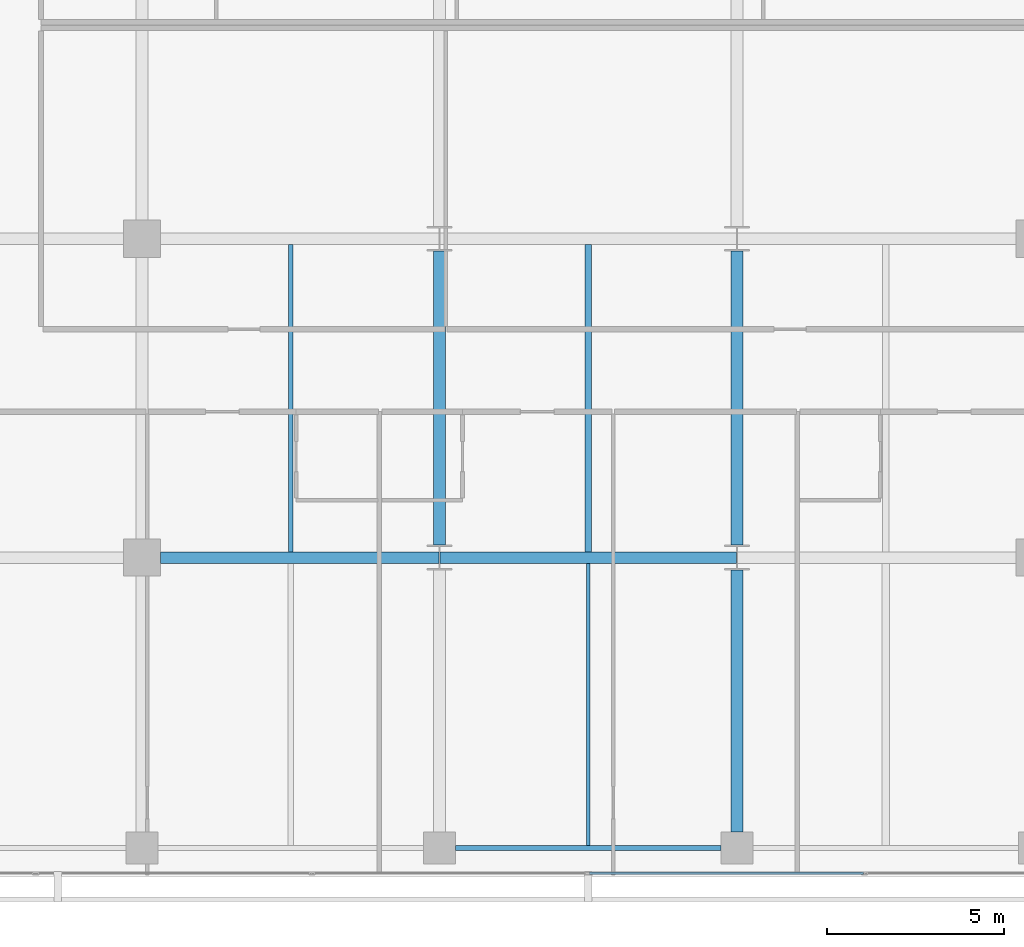
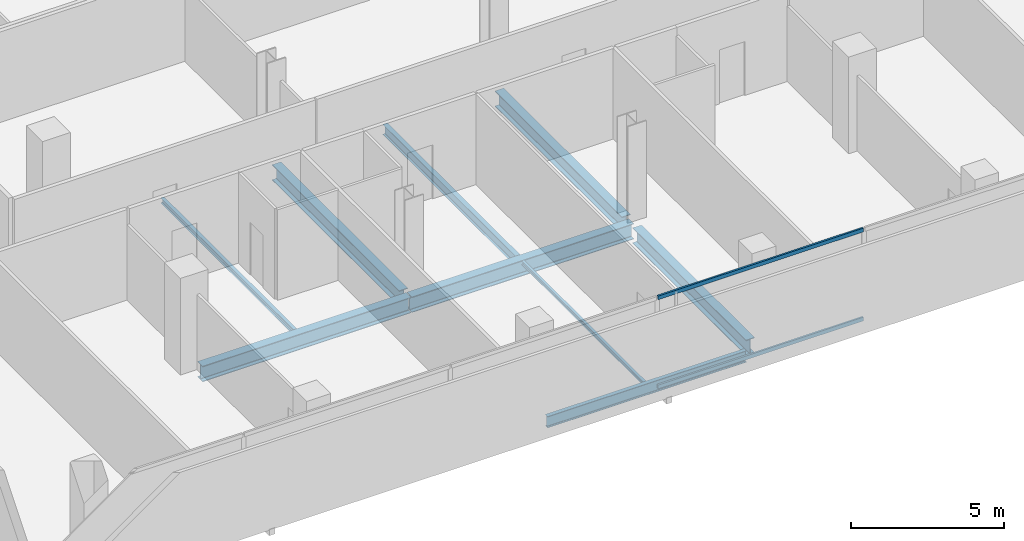
# One storey, part 9 of 40: 9 beams, 2 members, 1 element without a shape of its own.
"""IFC4 building model written with IfcOpenShell, lengths in metres."""

from ifc_helpers import new_model, si_unit, direction, frame, origin, origin_2d, place, context, subcontext, project, spatial, hollow_rectangle, i_section, extrude, material, layer, layer_set, material_profile, profile_set, type_object, element, aggregate, save


model = new_model("IFC4")

# Units and contexts
model_context = context("Model", 3, precision=1e-05, world=origin(), true_north=direction((0.0, 1.0)))
body_context = subcontext(model_context, "Body", "Model", "MODEL_VIEW")
ifc_project = project(units=[si_unit("LENGTHUNIT", "METRE"), si_unit("AREAUNIT", "SQUARE_METRE"), si_unit("VOLUMEUNIT", "CUBIC_METRE"), si_unit("PLANEANGLEUNIT", "RADIAN"), si_unit("MASSUNIT", "GRAM", prefix="KILO")], contexts=[model_context])

# Site, building, storey
site_placement = place(None, origin())
site = spatial("IfcSite", under=ifc_project, at=site_placement, CompositionType="ELEMENT")
building_placement = place(site_placement, origin())
building = spatial("IfcBuilding", under=site, at=building_placement, Name="Maruvema Waterfront Hotel and Observation Tower", CompositionType="ELEMENT")
storey_placement = place(building_placement, frame((0.0, 0.0, 73.14990234375)))
storey = spatial("IfcBuildingStorey", under=building, at=storey_placement, Name="L17", CompositionType="ELEMENT", Elevation=73.14990234375)

# Curtain wall, members
ifc_material_1 = material(Name="Anodised bronze aluminium and solar-control low-E IGU", Category="aluminium")
ifc_layer = layer(ifc_material_1, 0.159912109375, Name="Zone 1 Bronze Inner Thermal Curtain Wall System CW-02")
ifc_layer_set = layer_set([ifc_layer], Name="Anodised bronze aluminium and solar-control low-E IGU")
curtain_wall_type = type_object("IfcCurtainWallType", Name="Zone 1 Bronze Inner Thermal Curtain Wall System CW-02", PredefinedType="USERDEFINED", material=ifc_layer_set)
curtain_wall_placement = place(storey_placement, origin())
curtain_wall = element("IfcCurtainWall", 1, at=curtain_wall_placement, inside=storey, type_object=curtain_wall_type, Name="L17 Curtain Wall CW-L17-S", ObjectType="UNITISED CURTAIN WALL", PredefinedType="USERDEFINED")
ifc_material_2 = material(Name="Anodised architectural bronze aluminium", Category="aluminium")
ifc_material_profile_1 = material_profile(ifc_material_2, hollow_rectangle(XDim=0.070068359375, YDim=0.14990234375, WallThickness=0.00390625, at=origin_2d()), Name="ALU-T70x150")
ifc_profile_set_1 = profile_set([ifc_material_profile_1], Name="Anodised architectural bronze aluminium")
member_type = type_object("IfcMemberType", Name="Curtain Wall Horizontal Transom ALU-T70x150", PredefinedType="USERDEFINED", material=ifc_profile_set_1)
member_1_placement = place(storey_placement, frame((37.830078125, 0.080078125, 0.030029296875), z_axis=(1.0, 0.0, 0.0), x_axis=(0.0, 1.0, 0.0)))
member_1 = element("IfcMember", 2, at=member_1_placement, type_object=member_type, Name="CW-02 transom 4.1", ObjectType="TRANSOM", PredefinedType="USERDEFINED", context=body_context, shape_type="SweptSolid", body=[
    extrude(hollow_rectangle(XDim=0.070068359375, YDim=0.14990234375, WallThickness=0.00390625, at=origin_2d()), origin(), (0.0, 0.0, 1.0), 7.739990234375),
])
member_2_placement = place(storey_placement, frame((37.830078125, 0.080078125, 3.580078125), z_axis=(1.0, 0.0, 0.0), x_axis=(0.0, 1.0, 0.0)))
member_2 = element("IfcMember", 3, at=member_2_placement, type_object=member_type, Name="CW-02 transom 4.2", ObjectType="TRANSOM", PredefinedType="USERDEFINED", context=body_context, shape_type="SweptSolid", body=[
    extrude(hollow_rectangle(XDim=0.070068359375, YDim=0.14990234375, WallThickness=0.00390625, at=origin_2d()), origin(), (0.0, 0.0, 1.0), 7.739990234375),
])
aggregate(curtain_wall, [member_1, member_2])

# Beams
ifc_material_3 = material(Name="Steel ASTM A572 Grade 50", Category="steel")
ifc_material_profile_2 = material_profile(ifc_material_3, i_section(OverallWidth=0.153076171875, OverallDepth=0.455078125, WebThickness=0.008056640625, FlangeThickness=0.01318359375, FilletRadius=0.014892578125, at=origin_2d()), Name="W460x60.0")
ifc_profile_set_2 = profile_set([ifc_material_profile_2], Name="Steel ASTM A572 Grade 50")
beam_type_1 = type_object("IfcBeamType", Name="Perimeter Spandrel Beam W460x60.0", PredefinedType="SPANDREL", material=ifc_profile_set_2)
beam_1_placement = place(storey_placement, frame((34.050048828125, 0.800048828125, -0.46728515625), z_axis=(1.0, 0.0, 0.0), x_axis=(0.0, 1.0, 0.0)))
element("IfcBeam", 4, at=beam_1_placement, inside=storey, type_object=beam_type_1, Name="L17 Floor Girder EW-03", PredefinedType="SPANDREL", context=body_context, shape_type="SweptSolid", body=[
    extrude(i_section(OverallWidth=0.153076171875, OverallDepth=0.455078125, WebThickness=0.008056640625, FlangeThickness=0.01318359375, FilletRadius=0.014892578125, at=origin_2d()), origin(), (0.0, 0.0, 1.0), 7.5),
])
ifc_material_4 = material(Name="Steel ASTM A572 Grade 50", Category="steel")
ifc_material_profile_3 = material_profile(ifc_material_4, i_section(OverallWidth=0.326904296875, OverallDepth=0.6220703125, WebThickness=0.015380859375, FlangeThickness=0.0244140625, FilletRadius=0.01806640625, at=origin_2d()), Name="W610x195.0")
ifc_profile_set_3 = profile_set([ifc_material_profile_3], Name="Steel ASTM A572 Grade 50")
beam_type_2 = type_object("IfcBeamType", Name="Primary Floor Girder W610x195.0", PredefinedType="BEAM", material=ifc_profile_set_3)
beam_2_placement = place(storey_placement, frame((25.72509765625, 9.0, -0.55078125), z_axis=(1.0, 0.0, 0.0), x_axis=(0.0, 1.0, 0.0)))
element("IfcBeam", 5, at=beam_2_placement, inside=storey, type_object=beam_type_2, Name="L17 Floor Girder EW-08", PredefinedType="BEAM", context=body_context, shape_type="SweptSolid", body=[
    extrude(i_section(OverallWidth=0.326904296875, OverallDepth=0.6220703125, WebThickness=0.015380859375, FlangeThickness=0.0244140625, FilletRadius=0.01806640625, at=origin_2d()), origin(), (0.0, 0.0, 1.0), 7.86083984375),
])
beam_3_placement = place(storey_placement, frame((33.614013671875, 9.0, -0.55078125), z_axis=(1.0, 0.0, 0.0), x_axis=(0.0, 1.0, 0.0)))
element("IfcBeam", 6, at=beam_3_placement, inside=storey, type_object=beam_type_2, Name="L17 Floor Girder EW-09", PredefinedType="BEAM", context=body_context, shape_type="SweptSolid", body=[
    extrude(i_section(OverallWidth=0.326904296875, OverallDepth=0.6220703125, WebThickness=0.015380859375, FlangeThickness=0.0244140625, FilletRadius=0.01806640625, at=origin_2d()), origin(), (0.0, 0.0, 1.0), 8.3720703125),
])
beam_4_placement = place(storey_placement, frame((33.60009765625, 9.35009765625, -0.55078125), z_axis=(0.0, 1.0, 0.0), x_axis=(-1.0, 0.0, 0.0)))
element("IfcBeam", 7, at=beam_4_placement, inside=storey, type_object=beam_type_2, Name="L17 Floor Girder NS-17", PredefinedType="BEAM", context=body_context, shape_type="SweptSolid", body=[
    extrude(i_section(OverallWidth=0.326904296875, OverallDepth=0.6220703125, WebThickness=0.015380859375, FlangeThickness=0.0244140625, FilletRadius=0.01806640625, at=origin_2d()), origin(), (0.0, 0.0, 1.0), 8.2998046875),
])
beam_5_placement = place(storey_placement, frame((42.0, 1.25, -0.55078125), z_axis=(0.0, 1.0, 0.0), x_axis=(-1.0, 0.0, 0.0)))
element("IfcBeam", 8, at=beam_5_placement, inside=storey, type_object=beam_type_2, Name="L17 Floor Girder NS-19", PredefinedType="BEAM", context=body_context, shape_type="SweptSolid", body=[
    extrude(i_section(OverallWidth=0.326904296875, OverallDepth=0.6220703125, WebThickness=0.015380859375, FlangeThickness=0.0244140625, FilletRadius=0.01806640625, at=origin_2d()), origin(), (0.0, 0.0, 1.0), 7.39990234375),
])
beam_6_placement = place(storey_placement, frame((42.0, 9.35009765625, -0.55078125), z_axis=(0.0, 1.0, 0.0), x_axis=(-1.0, 0.0, 0.0)))
element("IfcBeam", 9, at=beam_6_placement, inside=storey, type_object=beam_type_2, Name="L17 Floor Girder NS-20", PredefinedType="BEAM", context=body_context, shape_type="SweptSolid", body=[
    extrude(i_section(OverallWidth=0.326904296875, OverallDepth=0.6220703125, WebThickness=0.015380859375, FlangeThickness=0.0244140625, FilletRadius=0.01806640625, at=origin_2d()), origin(), (0.0, 0.0, 1.0), 8.2998046875),
])
ifc_material_5 = material(Name="Steel ASTM A572 Grade 50", Category="steel")
ifc_material_profile_4 = material_profile(ifc_material_5, i_section(OverallWidth=0.10009765625, OverallDepth=0.153076171875, WebThickness=0.005859375, FlangeThickness=0.007080078125, FilletRadius=0.008056640625, at=origin_2d()), Name="W150x18.0")
ifc_profile_set_4 = profile_set([ifc_material_profile_4], Name="Steel ASTM A572 Grade 50")
beam_type_3 = type_object("IfcBeamType", Name="Secondary Floor Joist W150x18.0", PredefinedType="JOIST", material=ifc_profile_set_4)
beam_7_placement = place(storey_placement, frame((37.800048828125, 0.87646484375, -0.31640625), z_axis=(0.0, 1.0, 0.0), x_axis=(-1.0, 0.0, 0.0)))
element("IfcBeam", 10, at=beam_7_placement, inside=storey, type_object=beam_type_3, Name="L17 Secondary Floor Joist JS-12", PredefinedType="JOIST", context=body_context, shape_type="SweptSolid", body=[
    extrude(i_section(OverallWidth=0.10009765625, OverallDepth=0.153076171875, WebThickness=0.005859375, FlangeThickness=0.007080078125, FilletRadius=0.008056640625, at=origin_2d()), origin(), (0.0, 0.0, 1.0), 7.9599609375),
])
ifc_material_6 = material(Name="Steel ASTM A572 Grade 50", Category="steel")
ifc_material_profile_5 = material_profile(ifc_material_6, i_section(OverallWidth=0.133056640625, OverallDepth=0.20703125, WebThickness=0.005859375, FlangeThickness=0.00830078125, FilletRadius=0.010009765625, at=origin_2d()), Name="W200x26.6")
ifc_profile_set_5 = profile_set([ifc_material_profile_5], Name="Steel ASTM A572 Grade 50")
beam_type_4 = type_object("IfcBeamType", Name="Secondary Floor Joist W200x26.6", PredefinedType="JOIST", material=ifc_profile_set_5)
beam_8_placement = place(storey_placement, frame((29.39990234375, 9.16357421875, -0.343505859375), z_axis=(0.0, 1.0, 0.0), x_axis=(-1.0, 0.0, 0.0)))
element("IfcBeam", 11, at=beam_8_placement, inside=storey, type_object=beam_type_4, Name="L17 Secondary Floor Joist JS-11", PredefinedType="JOIST", context=body_context, shape_type="SweptSolid", body=[
    extrude(i_section(OverallWidth=0.133056640625, OverallDepth=0.20703125, WebThickness=0.005859375, FlangeThickness=0.00830078125, FilletRadius=0.010009765625, at=origin_2d()), origin(), (0.0, 0.0, 1.0), 8.6728515625),
])
ifc_material_7 = material(Name="Steel ASTM A572 Grade 50", Category="steel")
ifc_material_profile_6 = material_profile(ifc_material_7, i_section(OverallWidth=0.177001953125, OverallDepth=0.403076171875, WebThickness=0.007568359375, FlangeThickness=0.010986328125, FilletRadius=0.014892578125, at=origin_2d()), Name="W410x53.0")
ifc_profile_set_6 = profile_set([ifc_material_profile_6], Name="Steel ASTM A572 Grade 50")
beam_type_5 = type_object("IfcBeamType", Name="Secondary Floor Joist W410x53.0", PredefinedType="JOIST", material=ifc_profile_set_6)
beam_9_placement = place(storey_placement, frame((37.800048828125, 9.16357421875, -0.44140625), z_axis=(0.0, 1.0, 0.0), x_axis=(-1.0, 0.0, 0.0)))
element("IfcBeam", 12, at=beam_9_placement, inside=storey, type_object=beam_type_5, Name="L17 Secondary Floor Joist JS-13", PredefinedType="JOIST", context=body_context, shape_type="SweptSolid", body=[
    extrude(i_section(OverallWidth=0.177001953125, OverallDepth=0.403076171875, WebThickness=0.007568359375, FlangeThickness=0.010986328125, FilletRadius=0.014892578125, at=origin_2d()), origin(), (0.0, 0.0, 1.0), 8.6728515625),
])

save(model, "model.ifc")
